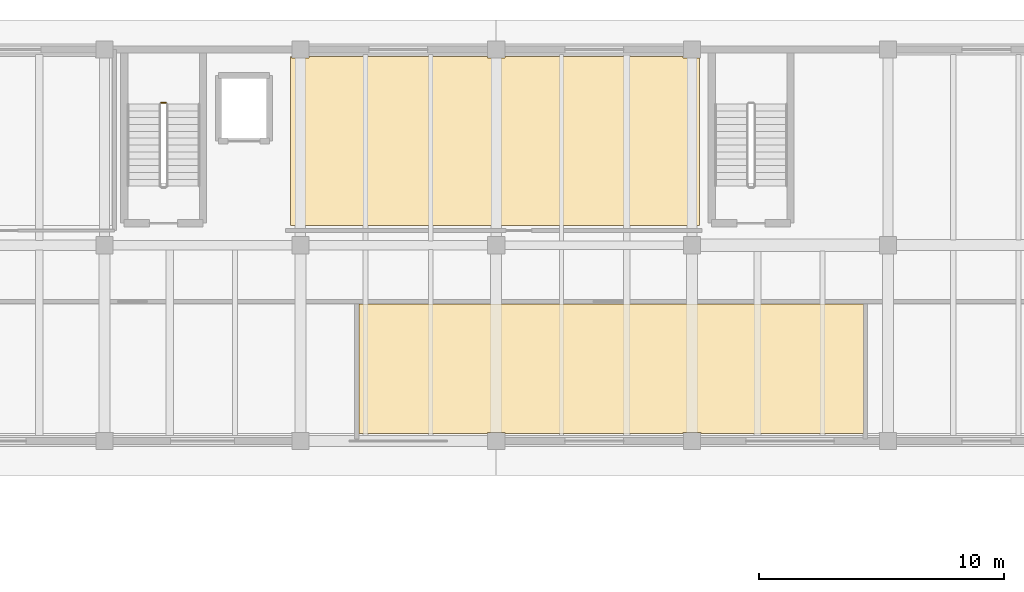
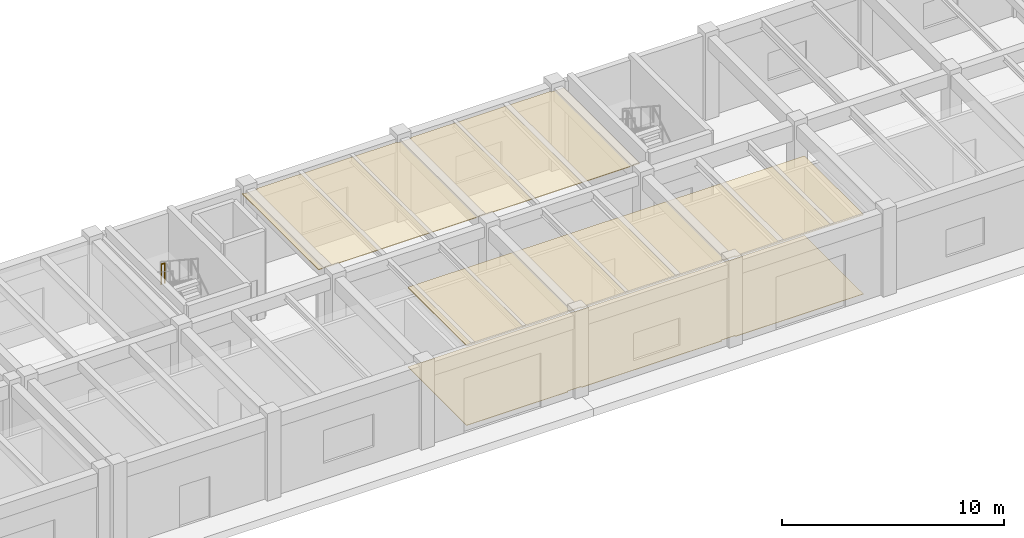
# One storey, part 60 of 64: 3 coverings, 1 railing.
"""IFC4 building model written with IfcOpenShell, lengths in metres."""

from ifc_helpers import new_model, si_unit, direction, frame, origin, origin_2d, place, context, subcontext, project, spatial, polyline, circle, outline, extrude, material, layer, layer_set, type_object, element, save


model = new_model("IFC4")

# Units and contexts
model_context = context("Model", 3, precision=1e-05, world=origin(), true_north=direction((0.0, 1.0)))
body_context = subcontext(model_context, "Body", "Model", "MODEL_VIEW")
ifc_project = project(units=[si_unit("LENGTHUNIT", "METRE"), si_unit("AREAUNIT", "SQUARE_METRE"), si_unit("VOLUMEUNIT", "CUBIC_METRE"), si_unit("PLANEANGLEUNIT", "RADIAN"), si_unit("MASSUNIT", "GRAM", prefix="KILO")], contexts=[model_context])

# Site, building, storey
site_placement = place(None, origin())
site = spatial("IfcSite", under=ifc_project, at=site_placement, CompositionType="ELEMENT")
building_placement = place(site_placement, origin())
building = spatial("IfcBuilding", under=site, at=building_placement, Name="Tlaxcora Railside Police Headquarters", CompositionType="ELEMENT")
storey_placement = place(building_placement, origin())
storey = spatial("IfcBuildingStorey", under=building, at=storey_placement, Name="L00", CompositionType="ELEMENT", Elevation=0.0)

# Coverings
ifc_material_1 = material(Name="Mineral-fibre acoustic ceiling tile")
ifc_layer_1 = layer(ifc_material_1, 0.034912109375, Name="Mineral-fibre acoustic ceiling tile")
ifc_layer_set_1 = layer_set([ifc_layer_1], Name="Mineral-fibre acoustic ceiling tile")
covering_type_1 = type_object("IfcCoveringType", Name="Acoustic Suspended Ceiling CLG-01", PredefinedType="CEILING", material=ifc_layer_set_1)
covering_1_placement = place(storey_placement, frame((0.0, 0.0, 4.364990234375)))
element("IfcCovering", 1, at=covering_1_placement, inside=storey, type_object=covering_type_1, Name="Chain-of-Custody Triage Office suspended ceiling", PredefinedType="CEILING", context=body_context, shape_type="SweptSolid", body=[
    extrude(outline(polyline([(118.43994140625, 92.5), (118.39990234375, 92.5), (118.39990234375, 85.60009765625), (135.10009765625, 85.60009765625), (135.10009765625, 92.43994140625), (134.43994140625, 92.43994140625), (134.43994140625, 92.5), (127.159912109375, 92.5), (127.159912109375, 92.43994140625), (126.43994140625, 92.43994140625), (126.43994140625, 92.5), (119.159912109375, 92.5), (119.159912109375, 92.43994140625), (118.43994140625, 92.43994140625), (118.43994140625, 92.5)])), origin(), (0.0, 0.0, 1.0), 0.034912109375),
])
ifc_material_2 = material(Name="Heavy-duty resin and raised-access technical flooring")
ifc_layer_2 = layer(ifc_material_2, 0.02490234375, Name="Heavy-duty resin and raised-access technical flooring")
ifc_layer_set_2 = layer_set([ifc_layer_2], Name="Heavy-duty resin and raised-access technical flooring")
covering_type_2 = type_object("IfcCoveringType", Name="Epoxy Chemical-Resistant Lab Flooring FLR-02", PredefinedType="FLOORING", material=ifc_layer_set_2)
covering_2_placement = place(storey_placement, origin())
element("IfcCovering", 2, at=covering_2_placement, inside=storey, type_object=covering_type_2, Name="Crime-Scene Vehicle Examination Bay technical floor finish", PredefinedType="FLOORING", context=body_context, shape_type="SweptSolid", body=[
    extrude(outline(polyline([(121.18505859375, 82.39990234375), (121.18505859375, 77.10009765625), (126.43994140625, 77.10009765625), (126.43994140625, 77.159912109375), (127.159912109375, 77.159912109375), (127.159912109375, 77.10009765625), (134.43994140625, 77.10009765625), (134.43994140625, 77.159912109375), (135.159912109375, 77.159912109375), (135.159912109375, 77.10009765625), (141.800048828125, 77.10009765625), (141.800048828125, 82.39990234375), (121.18505859375, 82.39990234375)])), origin(), (0.0, 0.0, 1.0), 0.02490234375),
])
ifc_layer_3 = layer(ifc_material_1, 0.044921875, Name="Mineral-fibre acoustic ceiling tile")
ifc_layer_set_3 = layer_set([ifc_layer_3], Name="Mineral-fibre acoustic ceiling tile")
covering_type_3 = type_object("IfcCoveringType", Name="Laboratory Hygienic Ceiling CLG-02", PredefinedType="CEILING", material=ifc_layer_set_3)
covering_3_placement = place(storey_placement, frame((0.0, 0.0, 4.35498046875)))
element("IfcCovering", 3, at=covering_3_placement, inside=storey, type_object=covering_type_3, Name="Crime-Scene Vehicle Examination Bay suspended ceiling", PredefinedType="CEILING", context=body_context, shape_type="SweptSolid", body=[
    extrude(outline(polyline([(121.18505859375, 82.39990234375), (121.18505859375, 77.10009765625), (126.43994140625, 77.10009765625), (126.43994140625, 77.159912109375), (127.159912109375, 77.159912109375), (127.159912109375, 77.10009765625), (134.43994140625, 77.10009765625), (134.43994140625, 77.159912109375), (135.159912109375, 77.159912109375), (135.159912109375, 77.10009765625), (141.800048828125, 77.10009765625), (141.800048828125, 82.39990234375), (121.18505859375, 82.39990234375)])), origin(), (0.0, 0.0, 1.0), 0.044921875),
])

# Railing
ifc_material_3 = material(Name="Steel ASTM A992 Grade 50", Category="steel")
railing_type = type_object("IfcRailingType", Name="Stair Well Guard Balustrade GR-02", PredefinedType="BALUSTRADE", material=ifc_material_3)
railing_placement = place(storey_placement, frame((113.31005859375, 90.6201171875, 2.39990234375)))
element("IfcRailing", 4, at=railing_placement, inside=storey, type_object=railing_type, Name="L00 ST3 stair guard 2", PredefinedType="BALUSTRADE", context=body_context, shape_type="SweptSolid", body=[
    extrude(circle(Radius=0.02392578125, at=origin_2d()), frame((0.0, 0.0, 1.09619140625), z_axis=(-1.0, 0.0, 0.0), x_axis=(0.0, -1.0, 0.0)), (0.0, 0.0, 1.0), 0.199951171875),
    extrude(circle(Radius=0.02099609375, at=origin_2d()), origin(), (0.0, 0.0, 1.0), 1.072021484375),
    extrude(circle(Radius=0.02099609375, at=origin_2d()), frame((-0.199951171875, 0.0, 0.0)), (0.0, 0.0, 1.0), 1.072021484375),
])

save(model, "model.ifc")
